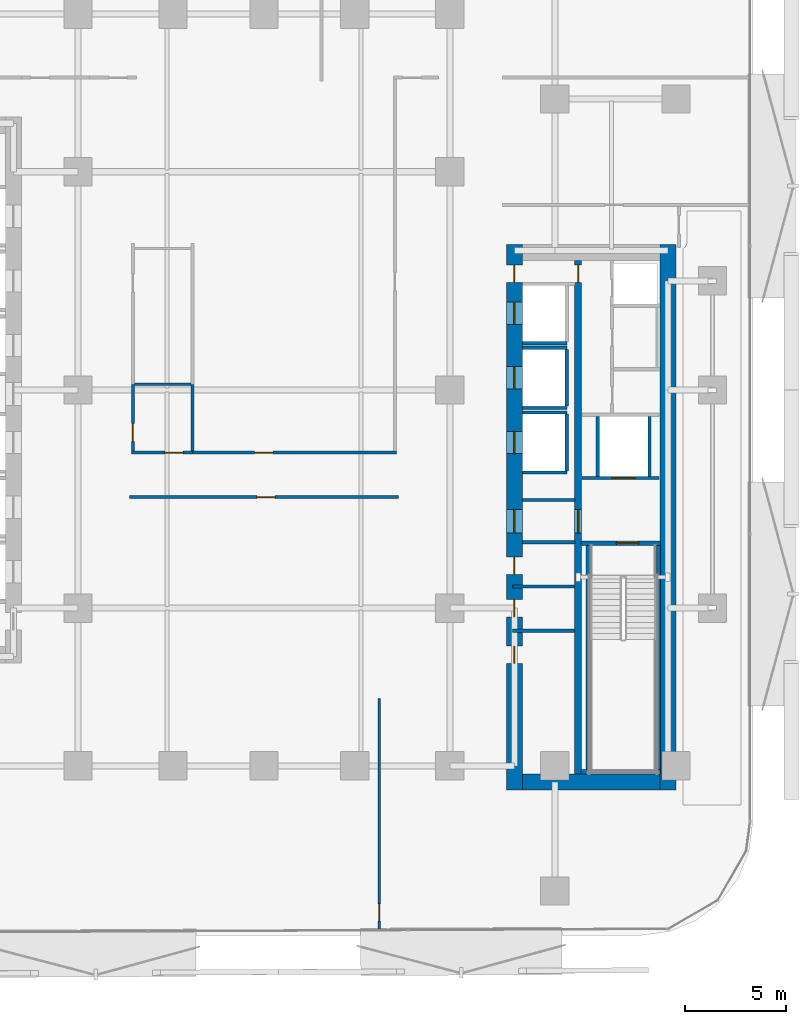
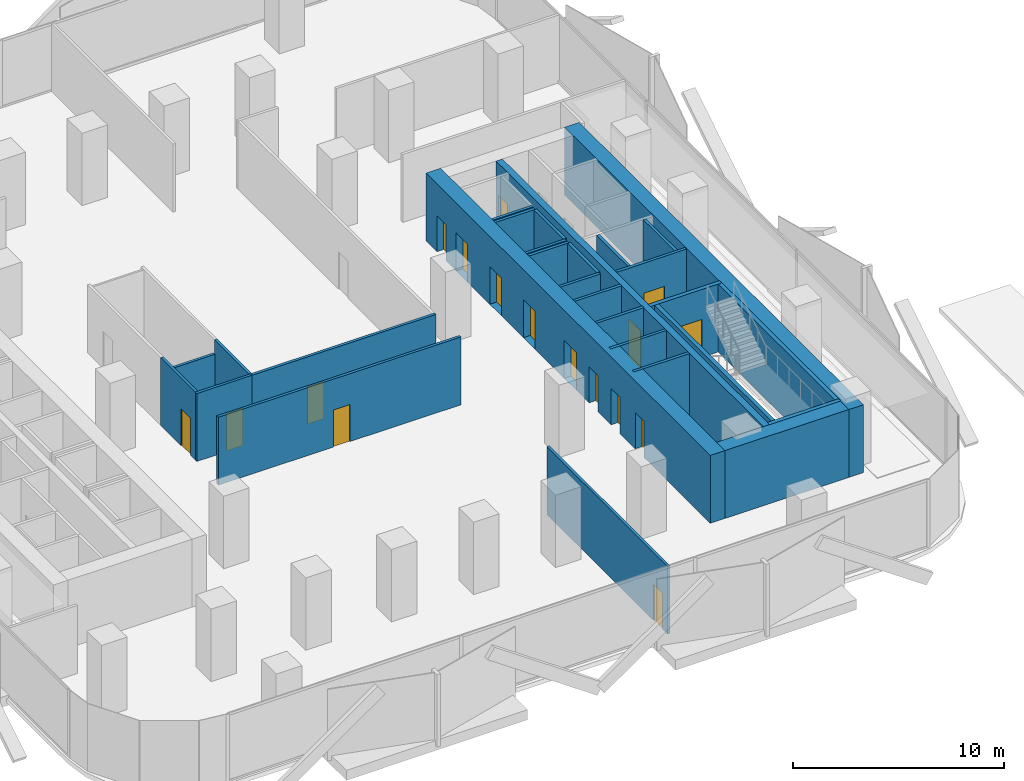
# One storey, part 4 of 16: 29 walls, 17 doors, 17 openings.
"""IFC4 building model written with IfcOpenShell, lengths in metres."""

from ifc_helpers import new_model, si_unit, direction, frame, frame_2d, origin, place, context, subcontext, project, spatial, rectangle, extrude, material, layer, layer_set, type_object, element, fill, save


model = new_model("IFC4")

# Units and contexts
model_context = context("Model", 3, precision=1e-05, world=origin(), true_north=direction((0.0, 1.0)))
body_context = subcontext(model_context, "Body", "Model", "MODEL_VIEW")
ifc_project = project(units=[si_unit("LENGTHUNIT", "METRE"), si_unit("AREAUNIT", "SQUARE_METRE"), si_unit("VOLUMEUNIT", "CUBIC_METRE"), si_unit("PLANEANGLEUNIT", "RADIAN"), si_unit("MASSUNIT", "GRAM", prefix="KILO")], contexts=[model_context])

# Site, building, storey
site_placement = place(None, origin())
site = spatial("IfcSite", under=ifc_project, at=site_placement, CompositionType="ELEMENT")
building_placement = place(site_placement, origin())
building = spatial("IfcBuilding", under=site, at=building_placement, Name="Khairoan Windgate Tower", CompositionType="ELEMENT")
storey_placement = place(building_placement, frame((0.0, 0.0, 26.0)))
storey = spatial("IfcBuildingStorey", under=building, at=storey_placement, Name="L06", CompositionType="ELEMENT", Elevation=26.0)

# Walls
ifc_material_1 = material(Name="Concrete C40/50", Category="concrete")
ifc_layer_1 = layer(ifc_material_1, 0.159912109375, Name="Concrete C40/50")
ifc_layer_set_1 = layer_set([ifc_layer_1], Name="Concrete C40/50")
wall_type_1 = type_object("IfcWallType", Name="Core and Hoistway Enclosure Wall", PredefinedType="STANDARD", material=ifc_layer_set_1)
for number, where, z_axis, x_axis, name in (
    (1, (12.800048828125, 2.31005859375, 0.0), (0.0, 0.0, 1.0), (1.0, 0.0, 0.0), "L06 Lift PL7 Hoistway Divider S"),
    (2, (12.800048828125, -0.889892578125, 0.0), (0.0, 0.0, 1.0), (1.0, 0.0, 0.0), "L06 Lift PL8 Hoistway Divider S"),
    (3, (12.800048828125, 2.090087890625, 0.0), (0.0, 0.0, 1.0), (1.0, 0.0, 0.0), "L06 Lift PL8 Hoistway Divider N"),
):
    element("IfcWall", number, at=place(storey_placement, frame(where, z_axis=z_axis, x_axis=x_axis)), inside=storey, type_object=wall_type_1, Name=name, PredefinedType="STANDARD", context=body_context, shape_type="SweptSolid", body=[
        extrude(rectangle(XDim=2.18994140625, YDim=0.159912109375, at=frame_2d((1.094970703125, 0.0))), origin(), (0.0, 0.0, 1.0), 3.93994140625),
    ])
wall_1_placement = place(storey_placement, frame((14.989990234375, -0.800048828125, 0.0), z_axis=(0.0, 0.0, 1.0), x_axis=(0.0, 1.0, 0.0)))
element("IfcWall", 4, at=wall_1_placement, inside=storey, type_object=wall_type_1, Name="L06 Lift PL8 Hoistway Back Wall", PredefinedType="STANDARD", context=body_context, shape_type="SweptSolid", body=[
    extrude(rectangle(XDim=2.800048828125, YDim=0.159912109375, at=frame_2d((1.39990234375, 0.0))), origin(), (0.0, 0.0, 1.0), 3.93994140625),
])
for number, where, z_axis, x_axis, name in (
    (5, (12.800048828125, -4.090087890625, 0.0), (0.0, 0.0, 1.0), (1.0, 0.0, 0.0), "L06 Lift PL9 Hoistway Divider S"),
    (6, (12.800048828125, -1.110107421875, 0.0), (0.0, 0.0, 1.0), (1.0, 0.0, 0.0), "L06 Lift PL9 Hoistway Divider N"),
):
    element("IfcWall", number, at=place(storey_placement, frame(where, z_axis=z_axis, x_axis=x_axis)), inside=storey, type_object=wall_type_1, Name=name, PredefinedType="STANDARD", context=body_context, shape_type="SweptSolid", body=[
        extrude(rectangle(XDim=2.18994140625, YDim=0.159912109375, at=frame_2d((1.094970703125, 0.0))), origin(), (0.0, 0.0, 1.0), 3.93994140625),
    ])
wall_2_placement = place(storey_placement, frame((14.989990234375, -4.0, 0.0), z_axis=(0.0, 0.0, 1.0), x_axis=(0.0, 1.0, 0.0)))
element("IfcWall", 7, at=wall_2_placement, inside=storey, type_object=wall_type_1, Name="L06 Lift PL9 Hoistway Back Wall", PredefinedType="STANDARD", context=body_context, shape_type="SweptSolid", body=[
    extrude(rectangle(XDim=2.800048828125, YDim=0.159912109375, at=frame_2d((1.39990234375, 0.0))), origin(), (0.0, 0.0, 1.0), 3.93994140625),
])

# Wall, opening, door
wall_3_placement = place(storey_placement, frame((15.75, -4.360107421875, 0.0), z_axis=(0.0, 0.0, 1.0), x_axis=(1.0, 0.0, 0.0)))
wall_3 = element("IfcWall", 8, at=wall_3_placement, inside=storey, type_object=wall_type_1, Name="L06 Core Shaft Wall SW-FL1-L06", PredefinedType="STANDARD", context=body_context, shape_type="SweptSolid", body=[
    extrude(rectangle(XDim=3.800048828125, YDim=0.159912109375, at=frame_2d((1.89990234375, 0.0))), origin(), (0.0, 0.0, 1.0), 3.93994140625),
])
opening_1_placement = place(wall_3_placement, frame((1.469970703125, 0.0, 0.0)))
opening_1 = element("IfcOpeningElement", 9, at=opening_1_placement, cuts=wall_3, Name="Opening LD-FL", PredefinedType="OPENING", context=body_context, shape_type="SweptSolid", body=[
    extrude(rectangle(XDim=1.14990234375, YDim=2.199951171875, at=frame_2d((0.574951171875, 1.10009765625))), frame((0.0, 0.08984375, 0.0), z_axis=(0.0, -1.0, 0.0), x_axis=(1.0, 0.0, 0.0)), (0.0, 0.0, 1.0), 0.179931640625),
])
ifc_material_2 = material(Name="Steel S355", Category="steel")
door_type_1 = type_object("IfcDoorType", Name="Firefighting Lift Sliding Landing Door LD-FL 1150x2200", OperationType="DOUBLE_DOOR_SLIDING", PredefinedType="DOOR", material=ifc_material_2)
door_1_placement = place(opening_1_placement, origin())
door_1 = element("IfcDoor", 10, at=door_1_placement, inside=storey, type_object=door_type_1, Name="L06 Firefighting Lift FL1 Landing Door", OperationType="DOUBLE_DOOR_SLIDING", OverallHeight=2.199951171875, OverallWidth=1.14990234375, PredefinedType="DOOR", context=body_context, shape_type="SweptSolid", body=[
    extrude(rectangle(XDim=1.14990234375, YDim=2.199951171875, at=frame_2d((0.574951171875, 1.10009765625))), frame((0.0, 0.02490234375, 0.0), z_axis=(0.0, -1.0, 0.0), x_axis=(1.0, 0.0, 0.0)), (0.0, 0.0, 1.0), 0.050048828125),
])
fill(opening_1, door_1)

# Walls
for number, where, z_axis, x_axis, name in (
    (11, (16.52001953125, -4.280029296875, 0.0), (0.0, 0.0, 1.0), (0.0, 1.0, 0.0), "L06 Core Shaft Wall SW-FL1W-L06"),
    (12, (19.080078125, -4.280029296875, 0.0), (0.0, 0.0, 1.0), (0.0, 1.0, 0.0), "L06 Core Shaft Wall SW-FL1E-L06"),
):
    element("IfcWall", number, at=place(storey_placement, frame(where, z_axis=z_axis, x_axis=x_axis)), inside=storey, type_object=wall_type_1, Name=name, PredefinedType="STANDARD", context=body_context, shape_type="SweptSolid", body=[
        extrude(rectangle(XDim=2.97998046875, YDim=0.159912109375, at=frame_2d((1.489990234375, 0.0))), origin(), (0.0, 0.0, 1.0), 3.93994140625),
    ])
for number, where, z_axis, x_axis, name in (
    (13, (12.800048828125, -5.449951171875, 0.0), (0.0, 0.0, 1.0), (1.0, 0.0, 0.0), "L06 Core Shaft Wall SW-EV1-L06"),
    (14, (12.800048828125, -7.5400390625, 0.0), (0.0, 0.0, 1.0), (1.0, 0.0, 0.0), "L06 Core Shaft Wall SW-EV2-L06"),
):
    element("IfcWall", number, at=place(storey_placement, frame(where, z_axis=z_axis, x_axis=x_axis)), inside=storey, type_object=wall_type_1, Name=name, PredefinedType="STANDARD", context=body_context, shape_type="SweptSolid", body=[
        extrude(rectangle(XDim=2.599853515625, YDim=0.159912109375, at=frame_2d((1.2998046875, 0.0))), origin(), (0.0, 0.0, 1.0), 3.93994140625),
    ])

# Wall, opening, door
ifc_material_3 = material(Name="Acoustic Fire-Rated Gypsum Partition", Category="gypsum")
ifc_layer_2 = layer(ifc_material_3, 0.139892578125, Name="Acoustic Fire-Rated Gypsum Partition")
ifc_layer_set_2 = layer_set([ifc_layer_2], Name="Acoustic Fire-Rated Gypsum Partition")
wall_type_2 = type_object("IfcWallType", Name="Inter-Tenancy Compartment Wall", PredefinedType="PARTITIONING", material=ifc_layer_set_2)
wall_4_placement = place(storey_placement, frame((5.7119140625, -26.7373046875, 0.0), z_axis=(0.0, 0.0, 1.0), x_axis=(0.0, 1.0, 0.0)))
wall_4 = element("IfcWall", 15, at=wall_4_placement, inside=storey, type_object=wall_type_2, Name="L06 Interior Partition 031", PredefinedType="PARTITIONING", context=body_context, shape_type="SweptSolid", body=[
    extrude(rectangle(XDim=11.457275390625, YDim=0.139892578125, at=frame_2d((5.728515625, 0.0))), origin(), (0.0, 0.0, 1.0), 3.93994140625),
])
opening_2_placement = place(wall_4_placement, frame((0.4599609375, 0.0, 0.0)))
opening_2 = element("IfcOpeningElement", 16, at=opening_2_placement, cuts=wall_4, Name="Opening FD-SRV", PredefinedType="OPENING", context=body_context, shape_type="SweptSolid", body=[
    extrude(rectangle(XDim=0.85009765625, YDim=2.10009765625, at=frame_2d((0.425048828125, 1.050048828125))), frame((0.0, 0.079833984375, 0.0), z_axis=(0.0, -1.0, 0.0), x_axis=(1.0, 0.0, 0.0)), (0.0, 0.0, 1.0), 0.159912109375),
])
ifc_material_4 = material(Name="Steel S355", Category="steel")
door_type_2 = type_object("IfcDoorType", Name="Core Service and Riser Fire Door FD-SRV 850x2100", OperationType="NOTDEFINED", PredefinedType="DOOR", material=ifc_material_4)
door_2_placement = place(opening_2_placement, origin())
door_2 = element("IfcDoor", 17, at=door_2_placement, inside=storey, type_object=door_type_2, Name="L06 L06-43-L06-44 Door", OperationType="SINGLE_SWING_LEFT", OverallHeight=2.10009765625, OverallWidth=0.85009765625, PredefinedType="DOOR", context=body_context, shape_type="SweptSolid", body=[
    extrude(rectangle(XDim=0.85009765625, YDim=2.10009765625, at=frame_2d((0.425048828125, 1.050048828125))), frame((0.0, 0.02490234375, 0.0), z_axis=(0.0, -1.0, 0.0), x_axis=(1.0, 0.0, 0.0)), (0.0, 0.0, 1.0), 0.050048828125),
])
fill(opening_2, door_2)

# Walls
wall_5_placement = place(storey_placement, frame((-6.409912109375, 0.280029296875, 0.0), z_axis=(0.0, 0.0, 1.0), x_axis=(1.0, 0.0, 0.0)))
element("IfcWall", 18, at=wall_5_placement, inside=storey, type_object=wall_type_2, Name="L06 Interior Partition 032", PredefinedType="PARTITIONING", context=body_context, shape_type="SweptSolid", body=[
    extrude(rectangle(XDim=2.7998046875, YDim=0.139892578125, at=frame_2d((1.39990234375, 0.0))), origin(), (0.0, 0.0, 1.0), 3.139892578125),
])
wall_6_placement = place(storey_placement, frame((-3.5400390625, -3.02001953125, 0.0), z_axis=(0.0, 0.0, 1.0), x_axis=(0.0, 1.0, 0.0)))
element("IfcWall", 19, at=wall_6_placement, inside=storey, type_object=wall_type_2, Name="L06 Interior Partition 033", PredefinedType="PARTITIONING", context=body_context, shape_type="SweptSolid", body=[
    extrude(rectangle(XDim=3.300048828125, YDim=0.139892578125, at=frame_2d((1.64990234375, 0.0))), origin(), (0.0, 0.0, 1.0), 3.93994140625),
])
ifc_material_5 = material(Name="Concrete C40/50", Category="concrete")
ifc_layer_3 = layer(ifc_material_5, 0.159912109375, Name="Concrete C40/50")
ifc_layer_set_3 = layer_set([ifc_layer_3], Name="Concrete C40/50")
wall_type_3 = type_object("IfcWallType", Name="Plant and Refuge Compartment Wall", PredefinedType="PARTITIONING", material=ifc_layer_set_3)
for number, where, z_axis, x_axis, name in (
    (20, (12.31005859375, -11.919921875, 0.0), (0.0, 0.0, 1.0), (1.0, 0.0, 0.0), "L06 Interior Partition 011"),
    (21, (12.31005859375, -9.719970703125, 0.0), (0.0, 0.0, 1.0), (1.0, 0.0, 0.0), "L06 Interior Partition 012"),
):
    element("IfcWall", number, at=place(storey_placement, frame(where, z_axis=z_axis, x_axis=x_axis)), inside=storey, type_object=wall_type_3, Name=name, PredefinedType="PARTITIONING", context=body_context, shape_type="SweptSolid", body=[
        extrude(rectangle(XDim=3.06494140625, YDim=0.159912109375, at=frame_2d((1.532470703125, 0.0))), origin(), (0.0, 0.0, 1.0), 3.93994140625),
    ])

# Wall, opening, door
ifc_material_6 = material(Name="Acoustic Fire-Rated Gypsum Partition", Category="gypsum")
ifc_layer_4 = layer(ifc_material_6, 0.14990234375, Name="Acoustic Fire-Rated Gypsum Partition")
ifc_layer_set_4 = layer_set([ifc_layer_4], Name="Acoustic Fire-Rated Gypsum Partition")
wall_type_4 = type_object("IfcWallType", Name="Rated Corridor Partition Wall", PredefinedType="PARTITIONING", material=ifc_layer_set_4)
wall_7_placement = place(storey_placement, frame((-6.56005859375, -3.094970703125, 0.0), z_axis=(0.0, 0.0, 1.0), x_axis=(1.0, 0.0, 0.0)))
wall_7 = element("IfcWall", 22, at=wall_7_placement, inside=storey, type_object=wall_type_4, Name="L06 Interior Partition 014", PredefinedType="PARTITIONING", context=body_context, shape_type="SweptSolid", body=[
    extrude(rectangle(XDim=3.02001953125, YDim=0.14990234375, at=frame_2d((1.510009765625, 0.0))), origin(), (0.0, 0.0, 1.0), 3.93994140625),
])
opening_3_placement = place(wall_7_placement, frame((1.659912109375, 0.0, 0.0)))
opening_3 = element("IfcOpeningElement", 23, at=opening_3_placement, cuts=wall_7, Name="Opening FD-ENT", PredefinedType="OPENING", context=body_context, shape_type="SweptSolid", body=[
    extrude(rectangle(XDim=0.89990234375, YDim=2.14990234375, at=frame_2d((0.449951171875, 1.074951171875))), frame((0.0, 0.0849609375, 0.0), z_axis=(0.0, -1.0, 0.0), x_axis=(1.0, 0.0, 0.0)), (0.0, 0.0, 1.0), 0.169921875),
])
ifc_material_7 = material(Name="Timber Fire-Rated Core", Category="wood")
door_type_3 = type_object("IfcDoorType", Name="Unit and Office Fire Entrance Door FD-ENT 900x2150", OperationType="NOTDEFINED", PredefinedType="DOOR", material=ifc_material_7)
door_3_placement = place(opening_3_placement, origin())
door_3 = element("IfcDoor", 24, at=door_3_placement, inside=storey, type_object=door_type_3, Name="L06 L06-33-L06-45 Door", OperationType="SINGLE_SWING_RIGHT", OverallHeight=2.14990234375, OverallWidth=0.89990234375, PredefinedType="DOOR", context=body_context, shape_type="SweptSolid", body=[
    extrude(rectangle(XDim=0.89990234375, YDim=2.14990234375, at=frame_2d((0.449951171875, 1.074951171875))), frame((0.0, 0.02490234375, 0.0), z_axis=(0.0, -1.0, 0.0), x_axis=(1.0, 0.0, 0.0)), (0.0, 0.0, 1.0), 0.050048828125),
])
fill(opening_3, door_3)

wall_8_placement = place(storey_placement, frame((-3.5400390625, -3.094970703125, 0.0), z_axis=(0.0, 0.0, 1.0), x_axis=(1.0, 0.0, 0.0)))
wall_8 = element("IfcWall", 25, at=wall_8_placement, inside=storey, type_object=wall_type_4, Name="L06 Interior Partition 015", PredefinedType="PARTITIONING", context=body_context, shape_type="SweptSolid", body=[
    extrude(rectangle(XDim=10.10009765625, YDim=0.14990234375, at=frame_2d((5.050048828125, 0.0))), origin(), (0.0, 0.0, 1.0), 3.93994140625),
])
opening_4_placement = place(wall_8_placement, frame((3.08544921875, 0.0, 0.0)))
opening_4 = element("IfcOpeningElement", 26, at=opening_4_placement, cuts=wall_8, Name="Opening FD-ENT", PredefinedType="OPENING", context=body_context, shape_type="SweptSolid", body=[
    extrude(rectangle(XDim=0.89990234375, YDim=2.14990234375, at=frame_2d((0.449951171875, 1.074951171875))), frame((0.0, 0.0849609375, 0.0), z_axis=(0.0, -1.0, 0.0), x_axis=(1.0, 0.0, 0.0)), (0.0, 0.0, 1.0), 0.169921875),
])
door_4_placement = place(opening_4_placement, origin())
door_4 = element("IfcDoor", 27, at=door_4_placement, inside=storey, type_object=door_type_3, Name="L06 L06-33-L06-47 Door", OperationType="SINGLE_SWING_LEFT", OverallHeight=2.14990234375, OverallWidth=0.89990234375, PredefinedType="DOOR", context=body_context, shape_type="SweptSolid", body=[
    extrude(rectangle(XDim=0.89990234375, YDim=2.14990234375, at=frame_2d((0.449951171875, 1.074951171875))), frame((0.0, 0.02490234375, 0.0), z_axis=(0.0, -1.0, 0.0), x_axis=(1.0, 0.0, 0.0)), (0.0, 0.0, 1.0), 0.050048828125),
])
fill(opening_4, door_4)

wall_9_placement = place(storey_placement, frame((-6.659912109375, -5.304931640625, 0.0), z_axis=(0.0, 0.0, 1.0), x_axis=(1.0, 0.0, 0.0)))
wall_9 = element("IfcWall", 28, at=wall_9_placement, inside=storey, type_object=wall_type_4, Name="L06 Interior Partition 016", PredefinedType="PARTITIONING", context=body_context, shape_type="SweptSolid", body=[
    extrude(rectangle(XDim=13.31982421875, YDim=0.14990234375, at=frame_2d((6.659912109375, 0.0))), origin(), (0.0, 0.0, 1.0), 3.93994140625),
])
opening_5_placement = place(wall_9_placement, frame((6.310791015625, 0.0, 0.0)))
opening_5 = element("IfcOpeningElement", 29, at=opening_5_placement, cuts=wall_9, Name="Opening FD-ENT", PredefinedType="OPENING", context=body_context, shape_type="SweptSolid", body=[
    extrude(rectangle(XDim=0.89990234375, YDim=2.14990234375, at=frame_2d((0.449951171875, 1.074951171875))), frame((0.0, 0.0849609375, 0.0), z_axis=(0.0, -1.0, 0.0), x_axis=(1.0, 0.0, 0.0)), (0.0, 0.0, 1.0), 0.169921875),
])
door_5_placement = place(opening_5_placement, origin())
door_5 = element("IfcDoor", 30, at=door_5_placement, inside=storey, type_object=door_type_3, Name="L06 L06-33-L06-48 Door", OperationType="SINGLE_SWING_RIGHT", OverallHeight=2.14990234375, OverallWidth=0.89990234375, PredefinedType="DOOR", context=body_context, shape_type="SweptSolid", body=[
    extrude(rectangle(XDim=0.89990234375, YDim=2.14990234375, at=frame_2d((0.449951171875, 1.074951171875))), frame((0.0, 0.02490234375, 0.0), z_axis=(0.0, -1.0, 0.0), x_axis=(1.0, 0.0, 0.0)), (0.0, 0.0, 1.0), 0.050048828125),
])
fill(opening_5, door_5)

wall_10_placement = place(storey_placement, frame((-6.485107421875, -3.02001953125, 0.0), z_axis=(0.0, 0.0, 1.0), x_axis=(0.0, 1.0, 0.0)))
wall_10 = element("IfcWall", 31, at=wall_10_placement, inside=storey, type_object=wall_type_4, Name="L06 Interior Partition 018", PredefinedType="PARTITIONING", context=body_context, shape_type="SweptSolid", body=[
    extrude(rectangle(XDim=3.300048828125, YDim=0.14990234375, at=frame_2d((1.64990234375, 0.0))), origin(), (0.0, 0.0, 1.0), 3.93994140625),
])
opening_6_placement = place(wall_10_placement, frame((0.4599609375, 0.0, 0.0)))
opening_6 = element("IfcOpeningElement", 32, at=opening_6_placement, cuts=wall_10, Name="Opening FD-ENT", PredefinedType="OPENING", context=body_context, shape_type="SweptSolid", body=[
    extrude(rectangle(XDim=0.89990234375, YDim=2.14990234375, at=frame_2d((0.449951171875, 1.074951171875))), frame((0.0, 0.0849609375, 0.0), z_axis=(0.0, -1.0, 0.0), x_axis=(1.0, 0.0, 0.0)), (0.0, 0.0, 1.0), 0.169921875),
])
door_6_placement = place(opening_6_placement, origin())
door_6 = element("IfcDoor", 33, at=door_6_placement, inside=storey, type_object=door_type_3, Name="L06 L06-34-L06-45 Door", OperationType="SINGLE_SWING_RIGHT", OverallHeight=2.14990234375, OverallWidth=0.89990234375, PredefinedType="DOOR", context=body_context, shape_type="SweptSolid", body=[
    extrude(rectangle(XDim=0.89990234375, YDim=2.14990234375, at=frame_2d((0.449951171875, 1.074951171875))), frame((0.0, 0.02490234375, 0.0), z_axis=(0.0, -1.0, 0.0), x_axis=(1.0, 0.0, 0.0)), (0.0, 0.0, 1.0), 0.050048828125),
])
fill(opening_6, door_6)

# Wall, openings, doors
ifc_material_8 = material(Name="Concrete C70/85", Category="concrete")
ifc_layer_5 = layer(ifc_material_8, 0.800048828125, Name="Concrete C70/85")
ifc_layer_set_5 = layer_set([ifc_layer_5], Name="Concrete C70/85")
wall_type_5 = type_object("IfcWallType", Name="Shear Wall CW-E1 800mm", PredefinedType="SHEAR", material=ifc_layer_set_5)
wall_11_placement = place(storey_placement, frame((12.39990234375, -19.800048828125, 0.0), z_axis=(0.0, 0.0, 1.0), x_axis=(0.0, 1.0, 0.0)))
wall_11 = element("IfcWall", 34, at=wall_11_placement, inside=storey, type_object=wall_type_5, Name="E Core West Shear Wall L06", PredefinedType="SHEAR", context=body_context, shape_type="SweptSolid", body=[
    extrude(rectangle(XDim=27.0, YDim=0.800048828125, at=frame_2d((13.5, 0.0))), origin(), (0.0, 0.0, 1.0), 3.93994140625),
])
opening_7_placement = place(wall_11_placement, frame((23.050048828125, 0.0, 0.0)))
opening_7 = element("IfcOpeningElement", 35, at=opening_7_placement, cuts=wall_11, Name="Opening LD-PL", PredefinedType="OPENING", context=body_context, shape_type="SweptSolid", body=[
    extrude(rectangle(XDim=1.10009765625, YDim=2.199951171875, at=frame_2d((0.550048828125, 1.10009765625))), frame((0.0, 0.409912109375, 0.0), z_axis=(0.0, -1.0, 0.0), x_axis=(1.0, 0.0, 0.0)), (0.0, 0.0, 1.0), 0.820068359375),
])
opening_8_placement = place(wall_11_placement, frame((19.85009765625, 0.0, 0.0)))
opening_8 = element("IfcOpeningElement", 36, at=opening_8_placement, cuts=wall_11, Name="Opening LD-PL", PredefinedType="OPENING", context=body_context, shape_type="SweptSolid", body=[
    extrude(rectangle(XDim=1.10009765625, YDim=2.199951171875, at=frame_2d((0.550048828125, 1.10009765625))), frame((0.0, 0.409912109375, 0.0), z_axis=(0.0, -1.0, 0.0), x_axis=(1.0, 0.0, 0.0)), (0.0, 0.0, 1.0), 0.820068359375),
])
opening_9_placement = place(wall_11_placement, frame((16.64990234375, 0.0, 0.0)))
opening_9 = element("IfcOpeningElement", 37, at=opening_9_placement, cuts=wall_11, Name="Opening LD-PL", PredefinedType="OPENING", context=body_context, shape_type="SweptSolid", body=[
    extrude(rectangle(XDim=1.10009765625, YDim=2.199951171875, at=frame_2d((0.550048828125, 1.10009765625))), frame((0.0, 0.409912109375, 0.0), z_axis=(0.0, -1.0, 0.0), x_axis=(1.0, 0.0, 0.0)), (0.0, 0.0, 1.0), 0.820068359375),
])
opening_10_placement = place(wall_11_placement, frame((6.27490234375, 0.0, 0.0)))
opening_10 = element("IfcOpeningElement", 38, at=opening_10_placement, cuts=wall_11, Name="Opening FD-SRV", PredefinedType="OPENING", context=body_context, shape_type="SweptSolid", body=[
    extrude(rectangle(XDim=0.85009765625, YDim=2.10009765625, at=frame_2d((0.425048828125, 1.050048828125))), frame((0.0, 0.409912109375, 0.0), z_axis=(0.0, -1.0, 0.0), x_axis=(1.0, 0.0, 0.0)), (0.0, 0.0, 1.0), 0.820068359375),
])
opening_11_placement = place(wall_11_placement, frame((8.574951171875, 0.0, 0.0)))
opening_11 = element("IfcOpeningElement", 39, at=opening_11_placement, cuts=wall_11, Name="Opening FD-SRV", PredefinedType="OPENING", context=body_context, shape_type="SweptSolid", body=[
    extrude(rectangle(XDim=0.85009765625, YDim=2.10009765625, at=frame_2d((0.425048828125, 1.050048828125))), frame((0.0, 0.409912109375, 0.0), z_axis=(0.0, -1.0, 0.0), x_axis=(1.0, 0.0, 0.0)), (0.0, 0.0, 1.0), 0.820068359375),
])
opening_12_placement = place(wall_11_placement, frame((10.675048828125, 0.0, 0.0)))
opening_12 = element("IfcOpeningElement", 40, at=opening_12_placement, cuts=wall_11, Name="Opening FD-SRV", PredefinedType="OPENING", context=body_context, shape_type="SweptSolid", body=[
    extrude(rectangle(XDim=0.85009765625, YDim=2.10009765625, at=frame_2d((0.425048828125, 1.050048828125))), frame((0.0, 0.409912109375, 0.0), z_axis=(0.0, -1.0, 0.0), x_axis=(1.0, 0.0, 0.0)), (0.0, 0.0, 1.0), 0.820068359375),
])
opening_13_placement = place(wall_11_placement, frame((12.72509765625, 0.0, 0.0)))
opening_13 = element("IfcOpeningElement", 41, at=opening_13_placement, cuts=wall_11, Name="Opening FD-FFL", PredefinedType="OPENING", context=body_context, shape_type="SweptSolid", body=[
    extrude(rectangle(XDim=1.14990234375, YDim=2.199951171875, at=frame_2d((0.574951171875, 1.10009765625))), frame((0.0, 0.409912109375, 0.0), z_axis=(0.0, -1.0, 0.0), x_axis=(1.0, 0.0, 0.0)), (0.0, 0.0, 1.0), 0.820068359375),
])
opening_14_placement = place(wall_11_placement, frame((25.125, 0.0, 0.0)))
opening_14 = element("IfcOpeningElement", 42, at=opening_14_placement, cuts=wall_11, Name="Opening FD-SRV", PredefinedType="OPENING", context=body_context, shape_type="SweptSolid", body=[
    extrude(rectangle(XDim=0.85009765625, YDim=2.10009765625, at=frame_2d((0.425048828125, 1.050048828125))), frame((0.0, 0.409912109375, 0.0), z_axis=(0.0, -1.0, 0.0), x_axis=(1.0, 0.0, 0.0)), (0.0, 0.0, 1.0), 0.820068359375),
])
door_7_placement = place(opening_10_placement, origin())
door_7 = element("IfcDoor", 43, at=door_7_placement, inside=storey, type_object=door_type_2, Name="L06 East Core Service Room Door 1", OperationType="SINGLE_SWING_RIGHT", OverallHeight=2.10009765625, OverallWidth=0.85009765625, PredefinedType="DOOR", context=body_context, shape_type="SweptSolid", body=[
    extrude(rectangle(XDim=0.85009765625, YDim=2.10009765625, at=frame_2d((0.425048828125, 1.050048828125))), frame((0.0, 0.02490234375, 0.0), z_axis=(0.0, -1.0, 0.0), x_axis=(1.0, 0.0, 0.0)), (0.0, 0.0, 1.0), 0.050048828125),
])
fill(opening_10, door_7)
door_8_placement = place(opening_11_placement, origin())
door_8 = element("IfcDoor", 44, at=door_8_placement, inside=storey, type_object=door_type_2, Name="L06 East Core Service Room Door 2", OperationType="SINGLE_SWING_LEFT", OverallHeight=2.10009765625, OverallWidth=0.85009765625, PredefinedType="DOOR", context=body_context, shape_type="SweptSolid", body=[
    extrude(rectangle(XDim=0.85009765625, YDim=2.10009765625, at=frame_2d((0.425048828125, 1.050048828125))), frame((0.0, 0.02490234375, 0.0), z_axis=(0.0, -1.0, 0.0), x_axis=(1.0, 0.0, 0.0)), (0.0, 0.0, 1.0), 0.050048828125),
])
fill(opening_11, door_8)
door_9_placement = place(opening_12_placement, origin())
door_9 = element("IfcDoor", 45, at=door_9_placement, inside=storey, type_object=door_type_2, Name="L06 East Core Service Room Door 3", OperationType="SINGLE_SWING_RIGHT", OverallHeight=2.10009765625, OverallWidth=0.85009765625, PredefinedType="DOOR", context=body_context, shape_type="SweptSolid", body=[
    extrude(rectangle(XDim=0.85009765625, YDim=2.10009765625, at=frame_2d((0.425048828125, 1.050048828125))), frame((0.0, 0.02490234375, 0.0), z_axis=(0.0, -1.0, 0.0), x_axis=(1.0, 0.0, 0.0)), (0.0, 0.0, 1.0), 0.050048828125),
])
fill(opening_12, door_9)
door_10_placement = place(opening_14_placement, origin())
door_10 = element("IfcDoor", 46, at=door_10_placement, inside=storey, type_object=door_type_2, Name="L06 East Core Service Vestibule Outer Door", OperationType="SINGLE_SWING_LEFT", OverallHeight=2.10009765625, OverallWidth=0.85009765625, PredefinedType="DOOR", context=body_context, shape_type="SweptSolid", body=[
    extrude(rectangle(XDim=0.85009765625, YDim=2.10009765625, at=frame_2d((0.425048828125, 1.050048828125))), frame((0.0, 0.02490234375, 0.0), z_axis=(0.0, -1.0, 0.0), x_axis=(1.0, 0.0, 0.0)), (0.0, 0.0, 1.0), 0.050048828125),
])
fill(opening_14, door_10)
ifc_material_9 = material(Name="Steel S355", Category="steel")
door_type_4 = type_object("IfcDoorType", Name="Firefighting Lobby Fire Door FD-FFL 1150x2200", OperationType="NOTDEFINED", PredefinedType="DOOR", material=ifc_material_9)
door_11_placement = place(opening_13_placement, origin())
door_11 = element("IfcDoor", 47, at=door_11_placement, inside=storey, type_object=door_type_4, Name="L06 East Core Vestibule Entry Door", OperationType="SINGLE_SWING_LEFT", OverallHeight=2.199951171875, OverallWidth=1.14990234375, PredefinedType="DOOR", context=body_context, shape_type="SweptSolid", body=[
    extrude(rectangle(XDim=1.14990234375, YDim=2.199951171875, at=frame_2d((0.574951171875, 1.10009765625))), frame((0.0, 0.02490234375, 0.0), z_axis=(0.0, -1.0, 0.0), x_axis=(1.0, 0.0, 0.0)), (0.0, 0.0, 1.0), 0.050048828125),
])
fill(opening_13, door_11)
ifc_material_10 = material(Name="Anodised Bronze Aluminium 6063-T6", Category="aluminium")
door_type_5 = type_object("IfcDoorType", Name="Passenger Lift Sliding Landing Door LD-PL 1100x2200", OperationType="DOUBLE_DOOR_SLIDING", PredefinedType="DOOR", material=ifc_material_10)
door_12_placement = place(opening_7_placement, origin())
door_12 = element("IfcDoor", 48, at=door_12_placement, inside=storey, type_object=door_type_5, Name="L06 Lift PL7 Sliding Landing Door", OperationType="DOUBLE_DOOR_SLIDING", OverallHeight=2.199951171875, OverallWidth=1.10009765625, PredefinedType="DOOR", context=body_context, shape_type="SweptSolid", body=[
    extrude(rectangle(XDim=1.10009765625, YDim=2.199951171875, at=frame_2d((0.550048828125, 1.10009765625))), frame((0.0, 0.02490234375, 0.0), z_axis=(0.0, -1.0, 0.0), x_axis=(1.0, 0.0, 0.0)), (0.0, 0.0, 1.0), 0.050048828125),
])
fill(opening_7, door_12)
door_13_placement = place(opening_8_placement, origin())
door_13 = element("IfcDoor", 49, at=door_13_placement, inside=storey, type_object=door_type_5, Name="L06 Lift PL8 Sliding Landing Door", OperationType="DOUBLE_DOOR_SLIDING", OverallHeight=2.199951171875, OverallWidth=1.10009765625, PredefinedType="DOOR", context=body_context, shape_type="SweptSolid", body=[
    extrude(rectangle(XDim=1.10009765625, YDim=2.199951171875, at=frame_2d((0.550048828125, 1.10009765625))), frame((0.0, 0.02490234375, 0.0), z_axis=(0.0, -1.0, 0.0), x_axis=(1.0, 0.0, 0.0)), (0.0, 0.0, 1.0), 0.050048828125),
])
fill(opening_8, door_13)
door_14_placement = place(opening_9_placement, origin())
door_14 = element("IfcDoor", 50, at=door_14_placement, inside=storey, type_object=door_type_5, Name="L06 Lift PL9 Sliding Landing Door", OperationType="DOUBLE_DOOR_SLIDING", OverallHeight=2.199951171875, OverallWidth=1.10009765625, PredefinedType="DOOR", context=body_context, shape_type="SweptSolid", body=[
    extrude(rectangle(XDim=1.10009765625, YDim=2.199951171875, at=frame_2d((0.550048828125, 1.10009765625))), frame((0.0, 0.02490234375, 0.0), z_axis=(0.0, -1.0, 0.0), x_axis=(1.0, 0.0, 0.0)), (0.0, 0.0, 1.0), 0.050048828125),
])
fill(opening_9, door_14)

# Walls
wall_12_placement = place(storey_placement, frame((20.0, -19.800048828125, 0.0), z_axis=(0.0, 0.0, 1.0), x_axis=(0.0, 1.0, 0.0)))
element("IfcWall", 51, at=wall_12_placement, inside=storey, type_object=wall_type_5, Name="E Core East Shear Wall L06", PredefinedType="SHEAR", context=body_context, shape_type="SweptSolid", body=[
    extrude(rectangle(XDim=27.0, YDim=0.800048828125, at=frame_2d((13.5, 0.0))), origin(), (0.0, 0.0, 1.0), 3.93994140625),
])
wall_13_placement = place(storey_placement, frame((12.800048828125, -19.39990234375, 0.0), z_axis=(0.0, 0.0, 1.0), x_axis=(1.0, 0.0, 0.0)))
element("IfcWall", 52, at=wall_13_placement, inside=storey, type_object=wall_type_5, Name="E Core South Shear Wall L06", PredefinedType="SHEAR", context=body_context, shape_type="SweptSolid", body=[
    extrude(rectangle(XDim=6.800048828125, YDim=0.800048828125, at=frame_2d((3.39990234375, 0.0))), origin(), (0.0, 0.0, 1.0), 3.93994140625),
])

# Wall, openings, doors
ifc_material_11 = material(Name="Concrete C60/75", Category="concrete")
ifc_layer_6 = layer(ifc_material_11, 0.35009765625, Name="Concrete C60/75")
ifc_layer_set_6 = layer_set([ifc_layer_6], Name="Concrete C60/75")
wall_type_6 = type_object("IfcWallType", Name="Shear Wall SW-1 350mm", PredefinedType="SHEAR", material=ifc_layer_set_6)
wall_14_placement = place(storey_placement, frame((15.550048828125, -19.0, 0.0), z_axis=(0.0, 0.0, 1.0), x_axis=(0.0, 1.0, 0.0)))
wall_14 = element("IfcWall", 53, at=wall_14_placement, inside=storey, type_object=wall_type_6, Name="E Core Spine Shear Wall L06", PredefinedType="SHEAR", context=body_context, shape_type="SweptSolid", body=[
    extrude(rectangle(XDim=25.39990234375, YDim=0.35009765625, at=frame_2d((12.699951171875, 0.0))), origin(), (0.0, 0.0, 1.0), 3.93994140625),
])
opening_15_placement = place(wall_14_placement, frame((11.925048828125, 0.0, 0.0)))
opening_15 = element("IfcOpeningElement", 54, at=opening_15_placement, cuts=wall_14, Name="Opening FD-FFL", PredefinedType="OPENING", context=body_context, shape_type="SweptSolid", body=[
    extrude(rectangle(XDim=1.14990234375, YDim=2.199951171875, at=frame_2d((0.574951171875, 1.10009765625))), frame((0.0, 0.18505859375, 0.0), z_axis=(0.0, -1.0, 0.0), x_axis=(1.0, 0.0, 0.0)), (0.0, 0.0, 1.0), 0.3701171875),
])
opening_16_placement = place(wall_14_placement, frame((24.324951171875, 0.0, 0.0)))
opening_16 = element("IfcOpeningElement", 55, at=opening_16_placement, cuts=wall_14, Name="Opening FD-SRV", PredefinedType="OPENING", context=body_context, shape_type="SweptSolid", body=[
    extrude(rectangle(XDim=0.85009765625, YDim=2.10009765625, at=frame_2d((0.425048828125, 1.050048828125))), frame((0.0, 0.18505859375, 0.0), z_axis=(0.0, -1.0, 0.0), x_axis=(1.0, 0.0, 0.0)), (0.0, 0.0, 1.0), 0.3701171875),
])
door_15_placement = place(opening_16_placement, origin())
door_15 = element("IfcDoor", 56, at=door_15_placement, inside=storey, type_object=door_type_2, Name="L06 East Core Service Passage Inner Door", OperationType="SINGLE_SWING_RIGHT", OverallHeight=2.10009765625, OverallWidth=0.85009765625, PredefinedType="DOOR", context=body_context, shape_type="SweptSolid", body=[
    extrude(rectangle(XDim=0.85009765625, YDim=2.10009765625, at=frame_2d((0.425048828125, 1.050048828125))), frame((0.0, 0.02490234375, 0.0), z_axis=(0.0, -1.0, 0.0), x_axis=(1.0, 0.0, 0.0)), (0.0, 0.0, 1.0), 0.050048828125),
])
fill(opening_16, door_15)
door_16_placement = place(opening_15_placement, origin())
door_16 = element("IfcDoor", 57, at=door_16_placement, inside=storey, type_object=door_type_4, Name="L06 East Firefighting Lobby Fire Door", OperationType="SINGLE_SWING_RIGHT", OverallHeight=2.199951171875, OverallWidth=1.14990234375, PredefinedType="DOOR", context=body_context, shape_type="SweptSolid", body=[
    extrude(rectangle(XDim=1.14990234375, YDim=2.199951171875, at=frame_2d((0.574951171875, 1.10009765625))), frame((0.0, 0.02490234375, 0.0), z_axis=(0.0, -1.0, 0.0), x_axis=(1.0, 0.0, 0.0)), (0.0, 0.0, 1.0), 0.050048828125),
])
fill(opening_15, door_16)

# Walls
ifc_material_12 = material(Name="Concrete C50/60", Category="concrete")
ifc_layer_7 = layer(ifc_material_12, 0.219970703125, Name="Concrete C50/60")
ifc_layer_set_7 = layer_set([ifc_layer_7], Name="Concrete C50/60")
wall_type_7 = type_object("IfcWallType", Name="Shear Wall SW-ST 220mm", PredefinedType="SHEAR", material=ifc_layer_set_7)
for number, where, z_axis, x_axis, name in (
    (58, (16.0400390625, -18.889892578125, 0.0), (0.0, 0.0, 1.0), (0.0, 1.0, 0.0), "L06 Stair ST1 West Bearing Wall"),
    (59, (19.530029296875, -18.889892578125, 0.0), (0.0, 0.0, 1.0), (0.0, 1.0, 0.0), "L06 Stair ST1 East Bearing Wall"),
):
    element("IfcWall", number, at=place(storey_placement, frame(where, z_axis=z_axis, x_axis=x_axis)), inside=storey, type_object=wall_type_7, Name=name, PredefinedType="SHEAR", context=body_context, shape_type="SweptSolid", body=[
        extrude(rectangle(XDim=11.2998046875, YDim=0.219970703125, at=frame_2d((5.64990234375, 0.0))), origin(), (0.0, 0.0, 1.0), 3.93994140625),
    ])
wall_15_placement = place(storey_placement, frame((15.705078125, -18.889892578125, 0.0), z_axis=(0.0, 0.0, 1.0), x_axis=(1.0, 0.0, 0.0)))
element("IfcWall", 60, at=wall_15_placement, inside=storey, type_object=wall_type_7, Name="L06 Stair ST1 South Bearing Wall", PredefinedType="SHEAR", context=body_context, shape_type="SweptSolid", body=[
    extrude(rectangle(XDim=3.9150390625, YDim=0.219970703125, at=frame_2d((1.95751953125, 0.0))), origin(), (0.0, 0.0, 1.0), 3.93994140625),
])

# Wall, opening, door
wall_16_placement = place(storey_placement, frame((19.6201171875, -7.590087890625, 0.0), z_axis=(0.0, 0.0, 1.0), x_axis=(-1.0, 0.0, 0.0)))
wall_16 = element("IfcWall", 61, at=wall_16_placement, inside=storey, type_object=wall_type_7, Name="L06 Stair ST1 North Bearing Wall", PredefinedType="SHEAR", context=body_context, shape_type="SweptSolid", body=[
    extrude(rectangle(XDim=3.9150390625, YDim=0.219970703125, at=frame_2d((1.95751953125, 0.0))), origin(), (0.0, 0.0, 1.0), 3.93994140625),
])
opening_17_placement = place(wall_16_placement, frame((1.080078125, 0.0, 0.0)))
opening_17 = element("IfcOpeningElement", 62, at=opening_17_placement, cuts=wall_16, Name="Opening FD-ST", PredefinedType="OPENING", context=body_context, shape_type="SweptSolid", body=[
    extrude(rectangle(XDim=1.10009765625, YDim=2.199951171875, at=frame_2d((0.550048828125, 1.10009765625))), frame((0.0, 0.119873046875, 0.0), z_axis=(0.0, -1.0, 0.0), x_axis=(1.0, 0.0, 0.0)), (0.0, 0.0, 1.0), 0.239990234375),
])
ifc_material_13 = material(Name="Steel S355", Category="steel")
door_type_6 = type_object("IfcDoorType", Name="Smokeproof Stair Fire Door FD-ST 1100x2200", OperationType="NOTDEFINED", PredefinedType="DOOR", material=ifc_material_13)
door_17_placement = place(opening_17_placement, origin())
door_17 = element("IfcDoor", 63, at=door_17_placement, inside=storey, type_object=door_type_6, Name="L06 Stair ST1 Fire Door", OperationType="SINGLE_SWING_RIGHT", OverallHeight=2.199951171875, OverallWidth=1.10009765625, PredefinedType="DOOR", context=body_context, shape_type="SweptSolid", body=[
    extrude(rectangle(XDim=1.10009765625, YDim=2.199951171875, at=frame_2d((0.550048828125, 1.10009765625))), frame((0.0, 0.02490234375, 0.0), z_axis=(0.0, -1.0, 0.0), x_axis=(1.0, 0.0, 0.0)), (0.0, 0.0, 1.0), 0.050048828125),
])
fill(opening_17, door_17)

save(model, "model.ifc")
